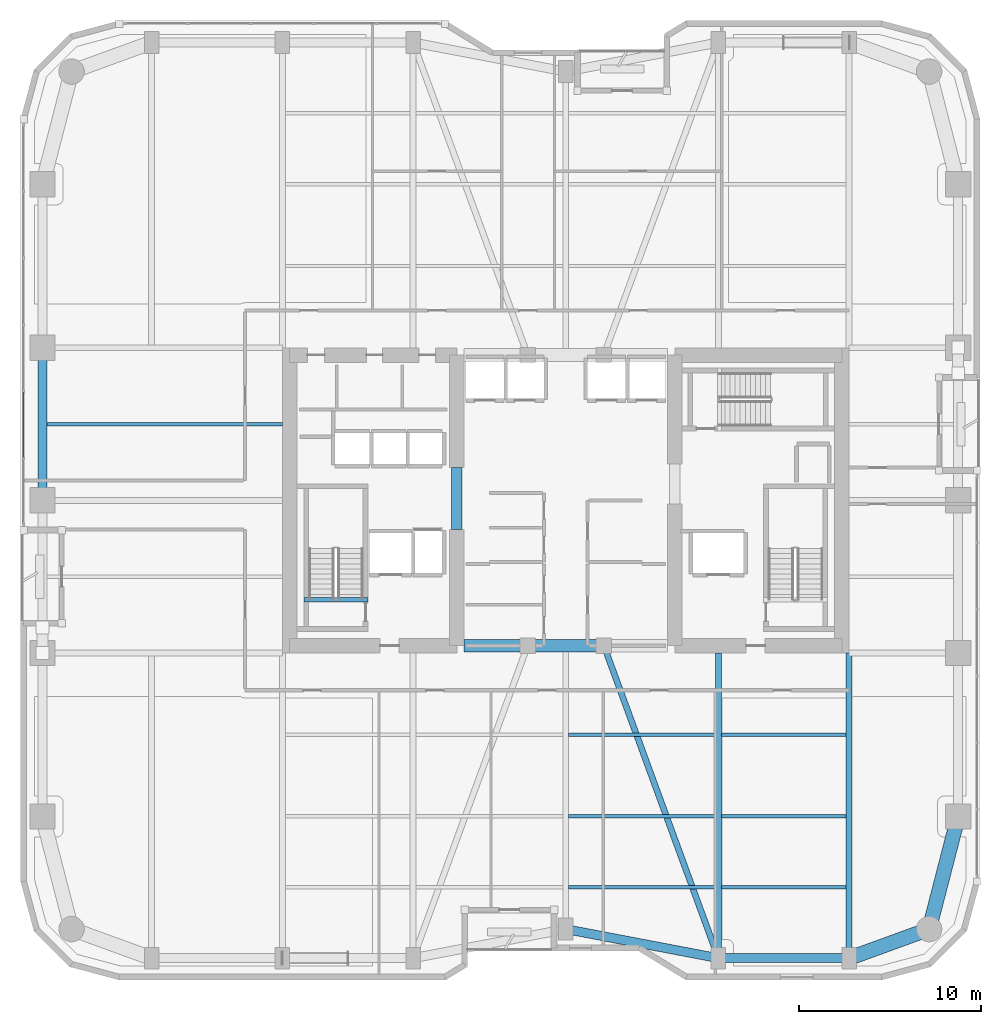
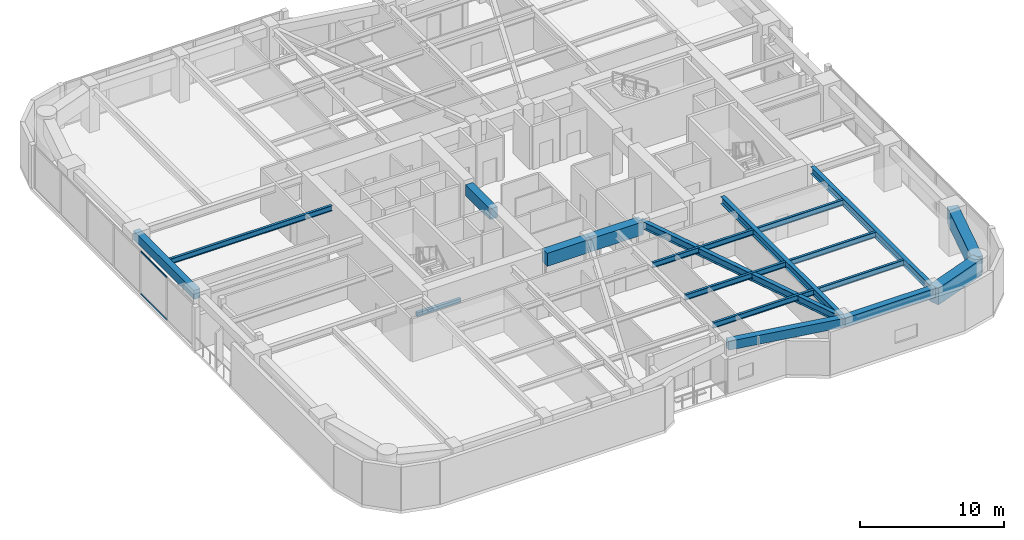
# One storey, part 3 of 24: 19 beams, 2 members, 1 element without a shape of its own.
"""IFC4 building model written with IfcOpenShell, lengths in metres."""

from ifc_helpers import new_model, si_unit, direction, frame, origin, origin_2d, place, context, subcontext, project, spatial, rectangle, hollow_rectangle, i_section, extrude, material, layer, layer_set, material_profile, profile_set, type_object, element, aggregate, save


model = new_model("IFC4")

# Units and contexts
model_context = context("Model", 3, precision=1e-05, world=origin(), true_north=direction((0.0, 1.0)))
body_context = subcontext(model_context, "Body", "Model", "MODEL_VIEW")
ifc_project = project(units=[si_unit("LENGTHUNIT", "METRE"), si_unit("AREAUNIT", "SQUARE_METRE"), si_unit("VOLUMEUNIT", "CUBIC_METRE"), si_unit("PLANEANGLEUNIT", "RADIAN"), si_unit("MASSUNIT", "GRAM", prefix="KILO")], contexts=[model_context])

# Site, building, storey
site_placement = place(None, origin())
site = spatial("IfcSite", under=ifc_project, at=site_placement, CompositionType="ELEMENT")
building_placement = place(site_placement, origin())
building = spatial("IfcBuilding", under=site, at=building_placement, Name="Kiyonajd Concourse Tower", CompositionType="ELEMENT")
storey_placement = place(building_placement, frame((0.0, 0.0, 133.800048828125)))
storey = spatial("IfcBuildingStorey", under=building, at=storey_placement, Name="L34", CompositionType="ELEMENT", Elevation=133.800048828125)

# Beams
ifc_material_1 = material(Name="Concrete C70/85", Category="concrete")
ifc_material_profile_1 = material_profile(ifc_material_1, rectangle(XDim=0.699951171875, YDim=1.10009765625, at=origin_2d()), Name="RCBM-700x1100")
ifc_profile_set_1 = profile_set([ifc_material_profile_1], Name="Concrete C70/85")
beam_type_1 = type_object("IfcBeamType", Name="BM-COUP-1100", PredefinedType="LINTEL", material=ifc_profile_set_1)
beam_1_placement = place(storey_placement, frame((42.39990234375, 28.0, 3.08984375), z_axis=(1.0, 0.0, 0.0), x_axis=(0.0, 1.0, 0.0)))
element("IfcBeam", 1, at=beam_1_placement, inside=storey, type_object=beam_type_1, Name="L34 Core Coupling Beam S1", PredefinedType="LINTEL", context=body_context, shape_type="SweptSolid", body=[
    extrude(rectangle(XDim=0.699951171875, YDim=1.10009765625, at=origin_2d()), origin(), (0.0, 0.0, 1.0), 3.5),
])
beam_2_placement = place(storey_placement, frame((45.89990234375, 28.0, 3.08984375), z_axis=(1.0, 0.0, 0.0), x_axis=(0.0, 1.0, 0.0)))
element("IfcBeam", 2, at=beam_2_placement, inside=storey, type_object=beam_type_1, Name="L34 Core Coupling Beam S2", PredefinedType="LINTEL", context=body_context, shape_type="SweptSolid", body=[
    extrude(rectangle(XDim=0.699951171875, YDim=1.10009765625, at=origin_2d()), origin(), (0.0, 0.0, 1.0), 4.2001953125),
])
ifc_material_2 = material(Name="Concrete C60/75", Category="concrete")
ifc_material_profile_2 = material_profile(ifc_material_2, rectangle(XDim=0.60009765625, YDim=0.89990234375, at=origin_2d()), Name="RCBM-600x900")
ifc_profile_set_2 = profile_set([ifc_material_profile_2], Name="Concrete C60/75")
beam_type_2 = type_object("IfcBeamType", Name="BM-COUP-900", PredefinedType="LINTEL", material=ifc_profile_set_2)
beam_3_placement = place(storey_placement, frame((42.0, 34.39990234375, 3.08984375), z_axis=(0.0, 1.0, 0.0), x_axis=(-1.0, 0.0, 0.0)))
element("IfcBeam", 3, at=beam_3_placement, inside=storey, type_object=beam_type_2, Name="L34 West Core Throat Coupling Lintel", PredefinedType="LINTEL", context=body_context, shape_type="SweptSolid", body=[
    extrude(rectangle(XDim=0.60009765625, YDim=0.89990234375, at=origin_2d()), origin(), (0.0, 0.0, 1.0), 3.400146484375),
])
ifc_material_3 = material(Name="Steel ASTM A992 Grade 50", Category="steel")
ifc_material_profile_3 = material_profile(ifc_material_3, i_section(OverallWidth=0.19189453125, OverallDepth=0.462890625, WebThickness=0.010498046875, FlangeThickness=0.017578125, at=origin_2d()), Name="W460X89")
ifc_profile_set_3 = profile_set([ifc_material_profile_3], Name="Steel ASTM A992 Grade 50")
beam_type_3 = type_object("IfcBeamType", Name="BM-JST-460B", PredefinedType="JOIST", material=ifc_profile_set_3)
beam_4_placement = place(storey_placement, frame((48.16357421875, 14.699951171875, 3.408447265625), z_axis=(1.0, 0.0, 0.0), x_axis=(0.0, 1.0, 0.0)))
element("IfcBeam", 4, at=beam_4_placement, inside=storey, type_object=beam_type_3, Name="L34 Secondary Floor Joist", PredefinedType="JOIST", context=body_context, shape_type="SweptSolid", body=[
    extrude(i_section(OverallWidth=0.19189453125, OverallDepth=0.462890625, WebThickness=0.010498046875, FlangeThickness=0.017578125, at=origin_2d()), origin(), (0.0, 0.0, 1.0), 8.072998046875),
])
beam_5_placement = place(storey_placement, frame((56.5634765625, 14.699951171875, 3.408447265625), z_axis=(1.0, 0.0, 0.0), x_axis=(0.0, 1.0, 0.0)))
element("IfcBeam", 5, at=beam_5_placement, inside=storey, type_object=beam_type_3, Name="L34 Secondary Floor Joist", PredefinedType="JOIST", context=body_context, shape_type="SweptSolid", body=[
    extrude(i_section(OverallWidth=0.19189453125, OverallDepth=0.462890625, WebThickness=0.010498046875, FlangeThickness=0.017578125, at=origin_2d()), origin(), (0.0, 0.0, 1.0), 6.873046875),
])
beam_6_placement = place(storey_placement, frame((48.16357421875, 18.60009765625, 3.408447265625), z_axis=(1.0, 0.0, 0.0), x_axis=(0.0, 1.0, 0.0)))
element("IfcBeam", 6, at=beam_6_placement, inside=storey, type_object=beam_type_3, Name="L34 Secondary Floor Joist", PredefinedType="JOIST", context=body_context, shape_type="SweptSolid", body=[
    extrude(i_section(OverallWidth=0.19189453125, OverallDepth=0.462890625, WebThickness=0.010498046875, FlangeThickness=0.017578125, at=origin_2d()), origin(), (0.0, 0.0, 1.0), 8.072998046875),
])
beam_7_placement = place(storey_placement, frame((56.5634765625, 18.60009765625, 3.408447265625), z_axis=(1.0, 0.0, 0.0), x_axis=(0.0, 1.0, 0.0)))
element("IfcBeam", 7, at=beam_7_placement, inside=storey, type_object=beam_type_3, Name="L34 Secondary Floor Joist", PredefinedType="JOIST", context=body_context, shape_type="SweptSolid", body=[
    extrude(i_section(OverallWidth=0.19189453125, OverallDepth=0.462890625, WebThickness=0.010498046875, FlangeThickness=0.017578125, at=origin_2d()), origin(), (0.0, 0.0, 1.0), 6.873046875),
])
beam_8_placement = place(storey_placement, frame((48.16357421875, 23.10009765625, 3.408447265625), z_axis=(1.0, 0.0, 0.0), x_axis=(0.0, 1.0, 0.0)))
element("IfcBeam", 8, at=beam_8_placement, inside=storey, type_object=beam_type_3, Name="L34 Secondary Floor Joist", PredefinedType="JOIST", context=body_context, shape_type="SweptSolid", body=[
    extrude(i_section(OverallWidth=0.19189453125, OverallDepth=0.462890625, WebThickness=0.010498046875, FlangeThickness=0.017578125, at=origin_2d()), origin(), (0.0, 0.0, 1.0), 8.072998046875),
])
beam_9_placement = place(storey_placement, frame((56.5634765625, 23.10009765625, 3.408447265625), z_axis=(1.0, 0.0, 0.0), x_axis=(0.0, 1.0, 0.0)))
element("IfcBeam", 9, at=beam_9_placement, inside=storey, type_object=beam_type_3, Name="L34 Secondary Floor Joist", PredefinedType="JOIST", context=body_context, shape_type="SweptSolid", body=[
    extrude(i_section(OverallWidth=0.19189453125, OverallDepth=0.462890625, WebThickness=0.010498046875, FlangeThickness=0.017578125, at=origin_2d()), origin(), (0.0, 0.0, 1.0), 6.873046875),
])
beam_10_placement = place(storey_placement, frame((19.449951171875, 40.199951171875, 3.408447265625), z_axis=(1.0, 0.0, 0.0), x_axis=(0.0, 1.0, 0.0)))
element("IfcBeam", 10, at=beam_10_placement, inside=storey, type_object=beam_type_3, Name="L34 West Secondary Floor Joist", PredefinedType="JOIST", context=body_context, shape_type="SweptSolid", body=[
    extrude(i_section(OverallWidth=0.19189453125, OverallDepth=0.462890625, WebThickness=0.010498046875, FlangeThickness=0.017578125, at=origin_2d()), origin(), (0.0, 0.0, 1.0), 12.949951171875),
])
ifc_material_4 = material(Name="Concrete C50/60", Category="concrete")
ifc_material_profile_4 = material_profile(ifc_material_4, rectangle(XDim=0.239990234375, YDim=0.320068359375, at=origin_2d()), Name="RCBM-240x320")
ifc_profile_set_4 = profile_set([ifc_material_profile_4], Name="Concrete C50/60")
beam_type_4 = type_object("IfcBeamType", Name="BM-LNT-250", PredefinedType="LINTEL", material=ifc_profile_set_4)
beam_11_placement = place(storey_placement, frame((33.590087890625, 30.530029296875, -0.16015625), z_axis=(1.0, 0.0, 0.0), x_axis=(0.0, 1.0, 0.0)))
element("IfcBeam", 11, at=beam_11_placement, inside=storey, type_object=beam_type_4, Name="L34 Stair ST1 Threshold Support Beam", PredefinedType="LINTEL", context=body_context, shape_type="SweptSolid", body=[
    extrude(rectangle(XDim=0.239990234375, YDim=0.320068359375, at=origin_2d()), origin(), (0.0, 0.0, 1.0), 3.52001953125),
])
ifc_material_5 = material(Name="Precast concrete C50/60", Category="concrete")
ifc_material_profile_5 = material_profile(ifc_material_5, rectangle(XDim=0.5, YDim=0.75, at=origin_2d()), Name="RCBM-500x750")
ifc_profile_set_5 = profile_set([ifc_material_profile_5], Name="Precast concrete C50/60")
beam_type_5 = type_object("IfcBeamType", Name="BM-SPAN-RC", PredefinedType="SPANDREL", material=ifc_profile_set_5)
beam_12_placement = place(storey_placement, frame((48.0, 12.39990234375, 3.264892578125), z_axis=(0.982341315253, -0.187097675953, 0.0), x_axis=(0.187097675953, 0.982341315253, 0.0)))
element("IfcBeam", 12, at=beam_12_placement, inside=storey, type_object=beam_type_5, Name="L34 Perimeter Bundled Tube Spandrel", PredefinedType="SPANDREL", context=body_context, shape_type="SweptSolid", body=[
    extrude(rectangle(XDim=0.5, YDim=0.75, at=origin_2d()), origin(), (0.0, 0.0, 1.0), 8.55078125),
])
beam_13_placement = place(storey_placement, frame((56.39990234375, 10.800048828125, 3.264892578125), z_axis=(1.0, 0.0, 0.0), x_axis=(0.0, 1.0, 0.0)))
element("IfcBeam", 13, at=beam_13_placement, inside=storey, type_object=beam_type_5, Name="L34 Perimeter Bundled Tube Spandrel", PredefinedType="SPANDREL", context=body_context, shape_type="SweptSolid", body=[
    extrude(rectangle(XDim=0.5, YDim=0.75, at=origin_2d()), origin(), (0.0, 0.0, 1.0), 7.2001953125),
])
beam_14_placement = place(storey_placement, frame((19.199951171875, 44.39990234375, 3.264892578125), z_axis=(0.0, -1.0, 0.0), x_axis=(1.0, 0.0, 0.0)))
element("IfcBeam", 14, at=beam_14_placement, inside=storey, type_object=beam_type_5, Name="L34 Perimeter Bundled Tube Spandrel", PredefinedType="SPANDREL", context=body_context, shape_type="SweptSolid", body=[
    extrude(rectangle(XDim=0.5, YDim=0.75, at=origin_2d()), origin(), (0.0, 0.0, 1.0), 8.39990234375),
])
ifc_material_profile_6 = material_profile(ifc_material_3, i_section(OverallWidth=0.326904296875, OverallDepth=0.6220703125, WebThickness=0.015380859375, FlangeThickness=0.0244140625, at=origin_2d()), Name="W610X195")
ifc_profile_set_6 = profile_set([ifc_material_profile_6], Name="Steel ASTM A992 Grade 50")
beam_type_6 = type_object("IfcBeamType", Name="BM-TWR-610A", PredefinedType="BEAM", material=ifc_profile_set_6)
beam_15_placement = place(storey_placement, frame((50.10009765625, 28.0, 3.328857421875), z_axis=(0.343925269715, -0.938997022813, 0.0), x_axis=(0.938997022813, 0.343925269715, 0.0)))
element("IfcBeam", 15, at=beam_15_placement, inside=storey, type_object=beam_type_6, Name="L34 Core Tie Girder", PredefinedType="BEAM", context=body_context, shape_type="SweptSolid", body=[
    extrude(i_section(OverallWidth=0.326904296875, OverallDepth=0.6220703125, WebThickness=0.015380859375, FlangeThickness=0.0244140625, at=origin_2d()), origin(), (0.0, 0.0, 1.0), 18.3173828125),
])
for number, where, z_axis, x_axis, name in (
    (16, (56.39990234375, 10.800048828125, 3.328857421875), (0.0, 1.0, 0.0), (-1.0, 0.0, 0.0), "L34 South Lease Girder"),
    (17, (63.60009765625, 10.800048828125, 3.328857421875), (0.0, 1.0, 0.0), (-1.0, 0.0, 0.0), "L34 South Lease Girder"),
):
    element("IfcBeam", number, at=place(storey_placement, frame(where, z_axis=z_axis, x_axis=x_axis)), inside=storey, type_object=beam_type_6, Name=name, PredefinedType="BEAM", context=body_context, shape_type="SweptSolid", body=[
        extrude(i_section(OverallWidth=0.326904296875, OverallDepth=0.6220703125, WebThickness=0.015380859375, FlangeThickness=0.0244140625, at=origin_2d()), origin(), (0.0, 0.0, 1.0), 16.800048828125),
    ])
ifc_material_profile_7 = material_profile(ifc_material_2, rectangle(XDim=0.800048828125, YDim=1.39990234375, at=origin_2d()), Name="RCBM-800x1400")
ifc_profile_set_7 = profile_set([ifc_material_profile_7], Name="Concrete C60/75")
beam_type_7 = type_object("IfcBeamType", Name="BM-XFER-RC", PredefinedType="BEAM", material=ifc_profile_set_7)
beam_16_placement = place(storey_placement, frame((63.60009765625, 10.800048828125, 2.93994140625), z_axis=(0.939801036019, 0.341722127901, 0.0), x_axis=(-0.341722127901, 0.939801036019, 0.0)))
element("IfcBeam", 18, at=beam_16_placement, inside=storey, type_object=beam_type_7, Name="L34 Perimeter Bundled Tube Spandrel", PredefinedType="BEAM", context=body_context, shape_type="SweptSolid", body=[
    extrude(rectangle(XDim=0.800048828125, YDim=1.39990234375, at=origin_2d()), origin(), (0.0, 0.0, 1.0), 4.681640625),
])
beam_17_placement = place(storey_placement, frame((68.0, 12.39990234375, 2.93994140625), z_axis=(0.249884937687, 0.968275538221, 0.0), x_axis=(-0.968275538221, 0.249884937687, 0.0)))
element("IfcBeam", 19, at=beam_17_placement, inside=storey, type_object=beam_type_7, Name="L34 Perimeter Bundled Tube Spandrel", PredefinedType="BEAM", context=body_context, shape_type="SweptSolid", body=[
    extrude(rectangle(XDim=0.800048828125, YDim=1.39990234375, at=origin_2d()), origin(), (0.0, 0.0, 1.0), 6.4033203125),
])

# Curtain wall, members
ifc_material_6 = material(Name="Thermally Broken Anodised Aluminium", Category="aluminium")
ifc_layer = layer(ifc_material_6, 0.179931640625)
ifc_layer_set = layer_set([ifc_layer], Name="Thermally Broken Anodised Aluminium")
curtain_wall_type = type_object("IfcCurtainWallType", Name="CW-SYS-03", PredefinedType="NOTDEFINED", material=ifc_layer_set)
curtain_wall_placement = place(storey_placement, origin())
curtain_wall = element("IfcCurtainWall", 20, at=curtain_wall_placement, inside=storey, type_object=curtain_wall_type, Name="L34 Unitised Curtain Wall CW3", PredefinedType="NOTDEFINED")
ifc_material_profile_8 = material_profile(ifc_material_6, hollow_rectangle(XDim=0.06494140625, YDim=0.139892578125, WallThickness=0.00390625, at=origin_2d()), Name="TRAN-65x140")
ifc_profile_set_8 = profile_set([ifc_material_profile_8], Name="Thermally Broken Anodised Aluminium")
member_type = type_object("IfcMemberType", Name="MB-CW-TRAN1", PredefinedType="USERDEFINED", material=ifc_profile_set_8)
member_1_placement = place(storey_placement, frame((18.159912109375, 38.355712890625, 0.032470703125), z_axis=(0.0, 1.0, 0.0), x_axis=(-1.0, 0.0, 0.0)))
member_1 = element("IfcMember", 21, at=member_1_placement, type_object=member_type, Name="CW3 transom 2.1", ObjectType="TRANSOM", PredefinedType="USERDEFINED", context=body_context, shape_type="SweptSolid", body=[
    extrude(hollow_rectangle(XDim=0.06494140625, YDim=0.139892578125, WallThickness=0.00390625, at=origin_2d()), origin(), (0.0, 0.0, 1.0), 3.608154296875),
])
member_2_placement = place(storey_placement, frame((18.159912109375, 38.355712890625, 3.607421875), z_axis=(0.0, 1.0, 0.0), x_axis=(-1.0, 0.0, 0.0)))
member_2 = element("IfcMember", 22, at=member_2_placement, type_object=member_type, Name="CW3 transom 2.2", ObjectType="TRANSOM", PredefinedType="USERDEFINED", context=body_context, shape_type="SweptSolid", body=[
    extrude(hollow_rectangle(XDim=0.06494140625, YDim=0.139892578125, WallThickness=0.00390625, at=origin_2d()), origin(), (0.0, 0.0, 1.0), 3.608154296875),
])
aggregate(curtain_wall, [member_1, member_2])

save(model, "model.ifc")
